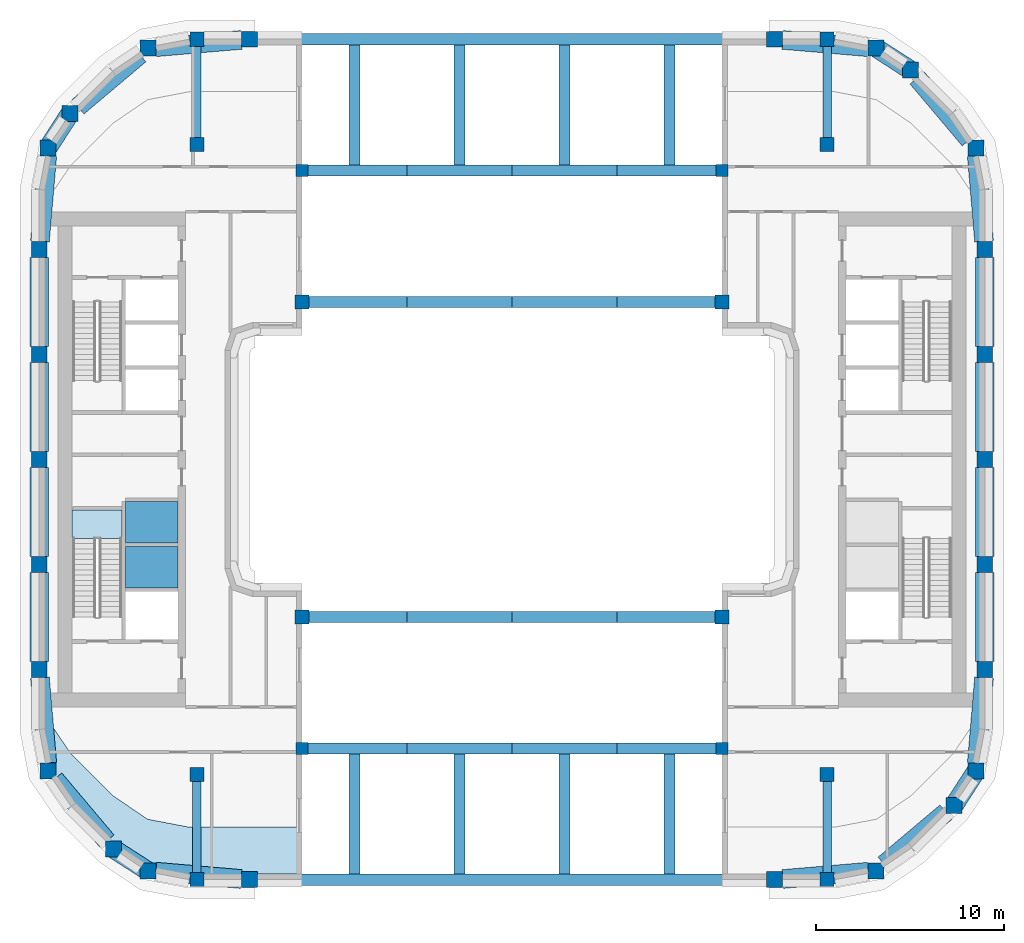
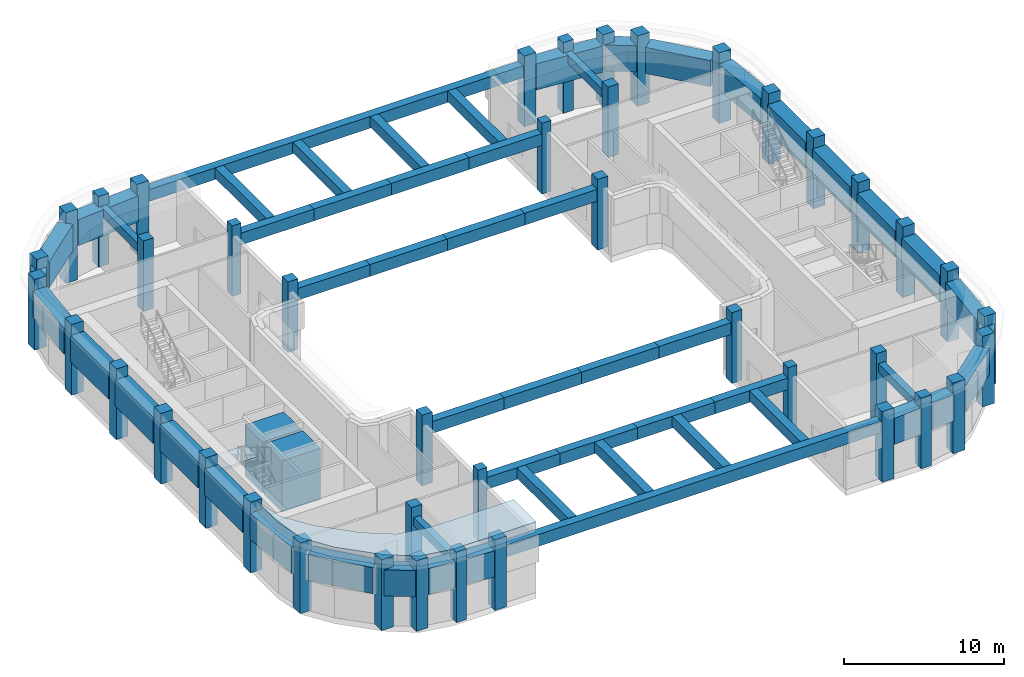
# One storey, part 1 of 13: 42 columns, 36 beams, 18 members, 4 slabs, 1 element without a shape of its own.
"""IFC4 building model written with IfcOpenShell, lengths in metres."""

from ifc_helpers import new_model, si_unit, direction, frame, origin, origin_2d, place, context, subcontext, project, spatial, polyline, rectangle, hollow_rectangle, outline, extrude, material, layer, layer_set, material_profile, profile_set, type_object, element, aggregate, save


model = new_model("IFC4")

# Units and contexts
model_context = context("Model", 3, precision=1e-05, world=origin(), true_north=direction((0.0, 1.0)))
body_context = subcontext(model_context, "Body", "Model", "MODEL_VIEW")
ifc_project = project(units=[si_unit("LENGTHUNIT", "METRE"), si_unit("AREAUNIT", "SQUARE_METRE"), si_unit("VOLUMEUNIT", "CUBIC_METRE"), si_unit("PLANEANGLEUNIT", "RADIAN"), si_unit("MASSUNIT", "GRAM", prefix="KILO")], contexts=[model_context])

# Site, building, storey
site_placement = place(None, origin())
site = spatial("IfcSite", under=ifc_project, at=site_placement, CompositionType="ELEMENT")
building_placement = place(site_placement, origin())
building = spatial("IfcBuilding", under=site, at=building_placement, Name="Kiln Ring Residences", CompositionType="ELEMENT")
storey_placement = place(building_placement, frame((0.0, 0.0, 236.300048828125)))
storey = spatial("IfcBuildingStorey", under=building, at=storey_placement, Name="L61", CompositionType="ELEMENT", Elevation=236.300048828125)

# Columns
ifc_material_1 = material(Name="Concrete C70/85", Category="concrete")
ifc_material_profile_1 = material_profile(ifc_material_1, rectangle(XDim=0.64990234375, YDim=0.64990234375, at=origin_2d()), Name="RC650x650")
ifc_profile_set_1 = profile_set([ifc_material_profile_1], Name="Concrete C70/85")
column_type_1 = type_object("IfcColumnType", Name="Corridor column RC650x650 C70/85", PredefinedType="COLUMN", material=ifc_profile_set_1)
for number, where, z_axis, x_axis, name in (
    (1, (-11.199951171875, 15.39990234375, 0.0), (0.0, 0.0, 1.0), (1.0, 0.0, 0.0), "Corridor column L61 1"),
    (2, (11.199951171875, 15.39990234375, 0.0), (0.0, 0.0, 1.0), (1.0, 0.0, 0.0), "Corridor column L61 2"),
    (3, (-11.199951171875, -15.39990234375, 0.0), (0.0, 0.0, 1.0), (1.0, 0.0, 0.0), "Corridor column L61 3"),
    (4, (11.199951171875, -15.39990234375, 0.0), (0.0, 0.0, 1.0), (1.0, 0.0, 0.0), "Corridor column L61 4"),
):
    element("IfcColumn", number, at=place(storey_placement, frame(where, z_axis=z_axis, x_axis=x_axis)), inside=storey, type_object=column_type_1, Name=name, PredefinedType="COLUMN", context=body_context, shape_type="SweptSolid", body=[
        extrude(rectangle(XDim=0.64990234375, YDim=0.64990234375, at=origin_2d()), origin(), (0.0, 0.0, 1.0), 5.39990234375),
    ])
ifc_material_2 = material(Name="Concrete C70/85", Category="concrete")
ifc_material_profile_2 = material_profile(ifc_material_2, rectangle(XDim=0.85009765625, YDim=0.85009765625, at=origin_2d()), Name="RC850x850")
ifc_profile_set_2 = profile_set([ifc_material_profile_2], Name="Concrete C70/85")
column_type_2 = type_object("IfcColumnType", Name="Perimeter column RC850x850 C70/85", PredefinedType="COLUMN", material=ifc_profile_set_2)
for number, where, z_axis, x_axis, name in (
    (5, (-19.40869140625, -21.93798828125, 0.0), (0.0, 0.0, 1.0), (1.0, 0.0, 0.0), "Perimeter column L61 1"),
    (6, (-14.0, -22.39990234375, 0.0), (0.0, 0.0, 1.0), (1.0, 0.0, 0.0), "Perimeter column L61 2"),
    (7, (14.0, -22.39990234375, 0.0), (0.0, 0.0, 1.0), (1.0, 0.0, 0.0), "Perimeter column L61 3"),
    (8, (19.40869140625, -21.93798828125, 0.0), (0.0, 0.0, 1.0), (1.0, 0.0, 0.0), "Perimeter column L61 4"),
    (9, (23.559814453125, -18.440185546875, 0.0), (0.0, 0.0, 1.0), (1.0, 0.0, 0.0), "Perimeter column L61 5"),
    (10, (24.738037109375, -16.608642578125, 0.0), (0.0, 0.0, 1.0), (1.0, 0.0, 0.0), "Perimeter column L61 6"),
    (11, (25.199951171875, -11.199951171875, 0.0), (0.0, 0.0, 1.0), (1.0, 0.0, 0.0), "Perimeter column L61 7"),
    (12, (25.199951171875, -5.60009765625, 0.0), (0.0, 0.0, 1.0), (1.0, 0.0, 0.0), "Perimeter column L61 8"),
    (13, (25.199951171875, 0.0, 0.0), (0.0, 0.0, 1.0), (1.0, 0.0, 0.0), "Perimeter column L61 9"),
    (14, (25.199951171875, 5.60009765625, 0.0), (0.0, 0.0, 1.0), (1.0, 0.0, 0.0), "Perimeter column L61 10"),
    (15, (25.199951171875, 11.199951171875, 0.0), (0.0, 0.0, 1.0), (1.0, 0.0, 0.0), "Perimeter column L61 11"),
    (16, (24.738037109375, 16.608642578125, 0.0), (0.0, 0.0, 1.0), (1.0, 0.0, 0.0), "Perimeter column L61 12"),
    (17, (21.240234375, 20.759765625, 0.0), (0.0, 0.0, 1.0), (1.0, 0.0, 0.0), "Perimeter column L61 13"),
    (18, (19.40869140625, 21.93798828125, 0.0), (0.0, 0.0, 1.0), (1.0, 0.0, 0.0), "Perimeter column L61 14"),
    (19, (14.0, 22.39990234375, 0.0), (0.0, 0.0, 1.0), (1.0, 0.0, 0.0), "Perimeter column L61 15"),
    (20, (-14.0, 22.39990234375, 0.0), (0.0, 0.0, 1.0), (1.0, 0.0, 0.0), "Perimeter column L61 16"),
    (21, (-19.40869140625, 21.93798828125, 0.0), (0.0, 0.0, 1.0), (1.0, 0.0, 0.0), "Perimeter column L61 17"),
    (22, (-23.559814453125, 18.440185546875, 0.0), (0.0, 0.0, 1.0), (1.0, 0.0, 0.0), "Perimeter column L61 18"),
    (23, (-24.738037109375, 16.608642578125, 0.0), (0.0, 0.0, 1.0), (1.0, 0.0, 0.0), "Perimeter column L61 19"),
    (24, (-25.199951171875, 11.199951171875, 0.0), (0.0, 0.0, 1.0), (1.0, 0.0, 0.0), "Perimeter column L61 20"),
    (25, (-25.199951171875, 5.60009765625, 0.0), (0.0, 0.0, 1.0), (1.0, 0.0, 0.0), "Perimeter column L61 21"),
    (26, (-25.199951171875, 0.0, 0.0), (0.0, 0.0, 1.0), (1.0, 0.0, 0.0), "Perimeter column L61 22"),
    (27, (-25.199951171875, -5.60009765625, 0.0), (0.0, 0.0, 1.0), (1.0, 0.0, 0.0), "Perimeter column L61 23"),
    (28, (-25.199951171875, -11.199951171875, 0.0), (0.0, 0.0, 1.0), (1.0, 0.0, 0.0), "Perimeter column L61 24"),
    (29, (-24.738037109375, -16.608642578125, 0.0), (0.0, 0.0, 1.0), (1.0, 0.0, 0.0), "Perimeter column L61 25"),
    (30, (-21.240234375, -20.759765625, 0.0), (0.0, 0.0, 1.0), (1.0, 0.0, 0.0), "Perimeter column L61 26"),
):
    element("IfcColumn", number, at=place(storey_placement, frame(where, z_axis=z_axis, x_axis=x_axis)), inside=storey, type_object=column_type_2, Name=name, PredefinedType="COLUMN", context=body_context, shape_type="SweptSolid", body=[
        extrude(rectangle(XDim=0.85009765625, YDim=0.85009765625, at=origin_2d()), origin(), (0.0, 0.0, 1.0), 5.39990234375),
    ])
ifc_material_3 = material(Name="Concrete C70/85", Category="concrete")
ifc_material_profile_3 = material_profile(ifc_material_3, rectangle(XDim=0.75, YDim=0.75, at=origin_2d()), Name="RC750x750")
ifc_profile_set_3 = profile_set([ifc_material_profile_3], Name="Concrete C70/85")
column_type_3 = type_object("IfcColumnType", Name="Ring column RC750x750 C70/85", PredefinedType="COLUMN", material=ifc_profile_set_3)
for number, where, z_axis, x_axis, name in (
    (31, (-16.800048828125, -22.39990234375, 0.0), (0.0, 0.0, 1.0), (1.0, 0.0, 0.0), "Ring column L61 1"),
    (32, (-16.800048828125, -16.800048828125, 0.0), (0.0, 0.0, 1.0), (1.0, 0.0, 0.0), "Ring column L61 2"),
    (33, (-16.800048828125, 16.800048828125, 0.0), (0.0, 0.0, 1.0), (1.0, 0.0, 0.0), "Ring column L61 3"),
    (34, (-16.800048828125, 22.39990234375, 0.0), (0.0, 0.0, 1.0), (1.0, 0.0, 0.0), "Ring column L61 4"),
    (35, (16.800048828125, -22.39990234375, 0.0), (0.0, 0.0, 1.0), (1.0, 0.0, 0.0), "Ring column L61 5"),
    (36, (16.800048828125, -16.800048828125, 0.0), (0.0, 0.0, 1.0), (1.0, 0.0, 0.0), "Ring column L61 6"),
    (37, (16.800048828125, 16.800048828125, 0.0), (0.0, 0.0, 1.0), (1.0, 0.0, 0.0), "Ring column L61 7"),
    (38, (16.800048828125, 22.39990234375, 0.0), (0.0, 0.0, 1.0), (1.0, 0.0, 0.0), "Ring column L61 8"),
    (39, (-11.199951171875, -8.39990234375, 0.0), (0.0, 0.0, 1.0), (1.0, 0.0, 0.0), "Ring column L61 9"),
    (40, (-11.199951171875, 8.39990234375, 0.0), (0.0, 0.0, 1.0), (1.0, 0.0, 0.0), "Ring column L61 10"),
    (41, (11.199951171875, -8.39990234375, 0.0), (0.0, 0.0, 1.0), (1.0, 0.0, 0.0), "Ring column L61 11"),
    (42, (11.199951171875, 8.39990234375, 0.0), (0.0, 0.0, 1.0), (1.0, 0.0, 0.0), "Ring column L61 12"),
):
    element("IfcColumn", number, at=place(storey_placement, frame(where, z_axis=z_axis, x_axis=x_axis)), inside=storey, type_object=column_type_3, Name=name, PredefinedType="COLUMN", context=body_context, shape_type="SweptSolid", body=[
        extrude(rectangle(XDim=0.75, YDim=0.75, at=origin_2d()), origin(), (0.0, 0.0, 1.0), 5.39990234375),
    ])

# Members
ifc_material_4 = material(Name="Steel S460", Category="steel")
ifc_material_profile_4 = material_profile(ifc_material_4, hollow_rectangle(XDim=0.60009765625, YDim=0.89990234375, WallThickness=0.050048828125, at=origin_2d()), Name="BOX900x600x50")
ifc_profile_set_4 = profile_set([ifc_material_profile_4], Name="Steel S460")
member_type = type_object("IfcMemberType", Name="Bridge truss chord BOX900x600x50 S460", PredefinedType="CHORD", material=ifc_profile_set_4)
member_1_placement = place(storey_placement, frame((-13.574951171875, -22.39990234375, 4.14990234375), z_axis=(1.0, 0.0, 0.0), x_axis=(0.0, 1.0, 0.0)))
element("IfcMember", 43, at=member_1_placement, inside=storey, type_object=member_type, Name="Bridge truss chord L61 1", PredefinedType="CHORD", context=body_context, shape_type="SweptSolid", body=[
    extrude(hollow_rectangle(XDim=0.60009765625, YDim=0.89990234375, WallThickness=0.050048828125, at=origin_2d()), origin(), (0.0, 0.0, 1.0), 27.14990234375),
])
member_2_placement = place(storey_placement, frame((-10.875, -15.39990234375, 4.14990234375), z_axis=(1.0, 0.0, 0.0), x_axis=(0.0, 1.0, 0.0)))
element("IfcMember", 44, at=member_2_placement, inside=storey, type_object=member_type, Name="Bridge truss chord L61 2", PredefinedType="CHORD", context=body_context, shape_type="SweptSolid", body=[
    extrude(hollow_rectangle(XDim=0.60009765625, YDim=0.89990234375, WallThickness=0.050048828125, at=origin_2d()), origin(), (0.0, 0.0, 1.0), 5.27490234375),
])
for number, where, z_axis, x_axis, name in (
    (45, (-5.60009765625, -15.39990234375, 4.14990234375), (1.0, 0.0, 0.0), (0.0, 1.0, 0.0), "Bridge truss chord L61 3"),
    (46, (0.0, -15.39990234375, 4.14990234375), (1.0, 0.0, 0.0), (0.0, 1.0, 0.0), "Bridge truss chord L61 4"),
):
    element("IfcMember", number, at=place(storey_placement, frame(where, z_axis=z_axis, x_axis=x_axis)), inside=storey, type_object=member_type, Name=name, PredefinedType="CHORD", context=body_context, shape_type="SweptSolid", body=[
        extrude(hollow_rectangle(XDim=0.60009765625, YDim=0.89990234375, WallThickness=0.050048828125, at=origin_2d()), origin(), (0.0, 0.0, 1.0), 5.60009765625),
    ])
member_3_placement = place(storey_placement, frame((5.60009765625, -15.39990234375, 4.14990234375), z_axis=(1.0, 0.0, 0.0), x_axis=(0.0, 1.0, 0.0)))
element("IfcMember", 47, at=member_3_placement, inside=storey, type_object=member_type, Name="Bridge truss chord L61 5", PredefinedType="CHORD", context=body_context, shape_type="SweptSolid", body=[
    extrude(hollow_rectangle(XDim=0.60009765625, YDim=0.89990234375, WallThickness=0.050048828125, at=origin_2d()), origin(), (0.0, 0.0, 1.0), 5.27490234375),
])
member_4_placement = place(storey_placement, frame((-10.824951171875, -8.39990234375, 4.14990234375), z_axis=(1.0, 0.0, 0.0), x_axis=(0.0, 1.0, 0.0)))
element("IfcMember", 48, at=member_4_placement, inside=storey, type_object=member_type, Name="Bridge truss chord L61 6", PredefinedType="CHORD", context=body_context, shape_type="SweptSolid", body=[
    extrude(hollow_rectangle(XDim=0.60009765625, YDim=0.89990234375, WallThickness=0.050048828125, at=origin_2d()), origin(), (0.0, 0.0, 1.0), 5.224853515625),
])
for number, where, z_axis, x_axis, name in (
    (49, (-5.60009765625, -8.39990234375, 4.14990234375), (1.0, 0.0, 0.0), (0.0, 1.0, 0.0), "Bridge truss chord L61 7"),
    (50, (0.0, -8.39990234375, 4.14990234375), (1.0, 0.0, 0.0), (0.0, 1.0, 0.0), "Bridge truss chord L61 8"),
):
    element("IfcMember", number, at=place(storey_placement, frame(where, z_axis=z_axis, x_axis=x_axis)), inside=storey, type_object=member_type, Name=name, PredefinedType="CHORD", context=body_context, shape_type="SweptSolid", body=[
        extrude(hollow_rectangle(XDim=0.60009765625, YDim=0.89990234375, WallThickness=0.050048828125, at=origin_2d()), origin(), (0.0, 0.0, 1.0), 5.60009765625),
    ])
member_5_placement = place(storey_placement, frame((5.60009765625, -8.39990234375, 4.14990234375), z_axis=(1.0, 0.0, 0.0), x_axis=(0.0, 1.0, 0.0)))
element("IfcMember", 51, at=member_5_placement, inside=storey, type_object=member_type, Name="Bridge truss chord L61 9", PredefinedType="CHORD", context=body_context, shape_type="SweptSolid", body=[
    extrude(hollow_rectangle(XDim=0.60009765625, YDim=0.89990234375, WallThickness=0.050048828125, at=origin_2d()), origin(), (0.0, 0.0, 1.0), 5.224853515625),
])
member_6_placement = place(storey_placement, frame((-13.574951171875, 22.39990234375, 4.14990234375), z_axis=(1.0, 0.0, 0.0), x_axis=(0.0, 1.0, 0.0)))
element("IfcMember", 52, at=member_6_placement, inside=storey, type_object=member_type, Name="Bridge truss chord L61 10", PredefinedType="CHORD", context=body_context, shape_type="SweptSolid", body=[
    extrude(hollow_rectangle(XDim=0.60009765625, YDim=0.89990234375, WallThickness=0.050048828125, at=origin_2d()), origin(), (0.0, 0.0, 1.0), 27.14990234375),
])
member_7_placement = place(storey_placement, frame((-10.875, 15.39990234375, 4.14990234375), z_axis=(1.0, 0.0, 0.0), x_axis=(0.0, 1.0, 0.0)))
element("IfcMember", 53, at=member_7_placement, inside=storey, type_object=member_type, Name="Bridge truss chord L61 11", PredefinedType="CHORD", context=body_context, shape_type="SweptSolid", body=[
    extrude(hollow_rectangle(XDim=0.60009765625, YDim=0.89990234375, WallThickness=0.050048828125, at=origin_2d()), origin(), (0.0, 0.0, 1.0), 5.27490234375),
])
for number, where, z_axis, x_axis, name in (
    (54, (-5.60009765625, 15.39990234375, 4.14990234375), (1.0, 0.0, 0.0), (0.0, 1.0, 0.0), "Bridge truss chord L61 12"),
    (55, (0.0, 15.39990234375, 4.14990234375), (1.0, 0.0, 0.0), (0.0, 1.0, 0.0), "Bridge truss chord L61 13"),
):
    element("IfcMember", number, at=place(storey_placement, frame(where, z_axis=z_axis, x_axis=x_axis)), inside=storey, type_object=member_type, Name=name, PredefinedType="CHORD", context=body_context, shape_type="SweptSolid", body=[
        extrude(hollow_rectangle(XDim=0.60009765625, YDim=0.89990234375, WallThickness=0.050048828125, at=origin_2d()), origin(), (0.0, 0.0, 1.0), 5.60009765625),
    ])
member_8_placement = place(storey_placement, frame((5.60009765625, 15.39990234375, 4.14990234375), z_axis=(1.0, 0.0, 0.0), x_axis=(0.0, 1.0, 0.0)))
element("IfcMember", 56, at=member_8_placement, inside=storey, type_object=member_type, Name="Bridge truss chord L61 14", PredefinedType="CHORD", context=body_context, shape_type="SweptSolid", body=[
    extrude(hollow_rectangle(XDim=0.60009765625, YDim=0.89990234375, WallThickness=0.050048828125, at=origin_2d()), origin(), (0.0, 0.0, 1.0), 5.27490234375),
])
member_9_placement = place(storey_placement, frame((-10.824951171875, 8.39990234375, 4.14990234375), z_axis=(1.0, 0.0, 0.0), x_axis=(0.0, 1.0, 0.0)))
element("IfcMember", 57, at=member_9_placement, inside=storey, type_object=member_type, Name="Bridge truss chord L61 15", PredefinedType="CHORD", context=body_context, shape_type="SweptSolid", body=[
    extrude(hollow_rectangle(XDim=0.60009765625, YDim=0.89990234375, WallThickness=0.050048828125, at=origin_2d()), origin(), (0.0, 0.0, 1.0), 5.224853515625),
])
for number, where, z_axis, x_axis, name in (
    (58, (-5.60009765625, 8.39990234375, 4.14990234375), (1.0, 0.0, 0.0), (0.0, 1.0, 0.0), "Bridge truss chord L61 16"),
    (59, (0.0, 8.39990234375, 4.14990234375), (1.0, 0.0, 0.0), (0.0, 1.0, 0.0), "Bridge truss chord L61 17"),
):
    element("IfcMember", number, at=place(storey_placement, frame(where, z_axis=z_axis, x_axis=x_axis)), inside=storey, type_object=member_type, Name=name, PredefinedType="CHORD", context=body_context, shape_type="SweptSolid", body=[
        extrude(hollow_rectangle(XDim=0.60009765625, YDim=0.89990234375, WallThickness=0.050048828125, at=origin_2d()), origin(), (0.0, 0.0, 1.0), 5.60009765625),
    ])
member_10_placement = place(storey_placement, frame((5.60009765625, 8.39990234375, 4.14990234375), z_axis=(1.0, 0.0, 0.0), x_axis=(0.0, 1.0, 0.0)))
element("IfcMember", 60, at=member_10_placement, inside=storey, type_object=member_type, Name="Bridge truss chord L61 18", PredefinedType="CHORD", context=body_context, shape_type="SweptSolid", body=[
    extrude(hollow_rectangle(XDim=0.60009765625, YDim=0.89990234375, WallThickness=0.050048828125, at=origin_2d()), origin(), (0.0, 0.0, 1.0), 5.224853515625),
])

# Beams
ifc_material_5 = material(Name="Concrete C50/60", Category="concrete")
ifc_material_profile_5 = material_profile(ifc_material_5, rectangle(XDim=0.449951171875, YDim=0.64990234375, at=origin_2d()), Name="RC450x650")
ifc_profile_set_5 = profile_set([ifc_material_profile_5], Name="Concrete C50/60")
beam_type_1 = type_object("IfcBeamType", Name="Ring beam RC450x650 C50/60", PredefinedType="BEAM", material=ifc_profile_set_5)
for number, where, z_axis, x_axis, name in (
    (61, (-16.800048828125, -17.175048828125, 4.27490234375), (0.0, -1.0, 0.0), (1.0, 0.0, 0.0), "Ring beam L61 1"),
    (62, (-16.800048828125, 17.175048828125, 4.27490234375), (0.0, 1.0, 0.0), (-1.0, 0.0, 0.0), "Ring beam L61 2"),
    (63, (16.800048828125, -17.175048828125, 4.27490234375), (0.0, -1.0, 0.0), (1.0, 0.0, 0.0), "Ring beam L61 3"),
    (64, (16.800048828125, 17.175048828125, 4.27490234375), (0.0, 1.0, 0.0), (-1.0, 0.0, 0.0), "Ring beam L61 4"),
):
    element("IfcBeam", number, at=place(storey_placement, frame(where, z_axis=z_axis, x_axis=x_axis)), inside=storey, type_object=beam_type_1, Name=name, PredefinedType="BEAM", context=body_context, shape_type="SweptSolid", body=[
        extrude(rectangle(XDim=0.449951171875, YDim=0.64990234375, at=origin_2d()), origin(), (0.0, 0.0, 1.0), 4.849853515625),
    ])
ifc_material_6 = material(Name="Concrete C70/85", Category="concrete")
ifc_material_profile_6 = material_profile(ifc_material_6, rectangle(XDim=1.0, YDim=2.0, at=origin_2d()), Name="RC1000x2000")
ifc_profile_set_6 = profile_set([ifc_material_profile_6], Name="Concrete C70/85")
beam_type_2 = type_object("IfcBeamType", Name="Transfer girder RC1000x2000 C70/85", PredefinedType="BEAM", material=ifc_profile_set_6)
for number, where, z_axis, x_axis, name in (
    (65, (-18.983642578125, -21.974365234375, 3.599853515625), (0.996371385312, -0.085112058675, 0.0), (0.085112058675, 0.996371385312, 0.0), "Transfer girder L61 1"),
    (66, (14.425048828125, -22.36376953125, 3.599853515625), (0.996371385312, 0.085112058675, 0.0), (-0.085112058675, 0.996371385312, 0.0), "Transfer girder L61 2"),
):
    element("IfcBeam", number, at=place(storey_placement, frame(where, z_axis=z_axis, x_axis=x_axis)), inside=storey, type_object=beam_type_2, Name=name, PredefinedType="BEAM", context=body_context, shape_type="SweptSolid", body=[
        extrude(rectangle(XDim=1.0, YDim=2.0, at=origin_2d()), origin(), (0.0, 0.0, 1.0), 4.5751953125),
    ])
beam_1_placement = place(storey_placement, frame((19.833740234375, -21.580078125, 3.599853515625), z_axis=(0.764691163306, 0.64439694658, 0.0), x_axis=(-0.64439694658, 0.764691163306, 0.0)))
element("IfcBeam", 67, at=beam_1_placement, inside=storey, type_object=beam_type_2, Name="Transfer girder L61 3", PredefinedType="BEAM", context=body_context, shape_type="SweptSolid", body=[
    extrude(rectangle(XDim=1.0, YDim=2.0, at=origin_2d()), origin(), (0.0, 0.0, 1.0), 4.31689453125),
])
beam_2_placement = place(storey_placement, frame((23.559814453125, -18.440185546875, 3.599853515625), z_axis=(0.541018199108, 0.84101088473, 0.0), x_axis=(-0.84101088473, 0.541018199108, 0.0)))
element("IfcBeam", 68, at=beam_2_placement, inside=storey, type_object=beam_type_2, Name="Transfer girder L61 4", PredefinedType="BEAM", context=body_context, shape_type="SweptSolid", body=[
    extrude(rectangle(XDim=1.0, YDim=2.0, at=origin_2d()), origin(), (0.0, 0.0, 1.0), 2.177734375),
])
beam_3_placement = place(storey_placement, frame((24.7744140625, -16.18359375, 3.599853515625), z_axis=(0.085112058675, 0.996371385312, 0.0), x_axis=(-0.996371385312, 0.085112058675, 0.0)))
element("IfcBeam", 69, at=beam_3_placement, inside=storey, type_object=beam_type_2, Name="Transfer girder L61 5", PredefinedType="BEAM", context=body_context, shape_type="SweptSolid", body=[
    extrude(rectangle(XDim=1.0, YDim=2.0, at=origin_2d()), origin(), (0.0, 0.0, 1.0), 4.5751953125),
])
for number, where, z_axis, x_axis, name in (
    (70, (25.199951171875, -10.77490234375, 3.599853515625), (0.0, 1.0, 0.0), (-1.0, 0.0, 0.0), "Transfer girder L61 6"),
    (71, (25.199951171875, -5.175048828125, 3.599853515625), (0.0, 1.0, 0.0), (-1.0, 0.0, 0.0), "Transfer girder L61 7"),
    (72, (25.199951171875, 0.425048828125, 3.599853515625), (0.0, 1.0, 0.0), (-1.0, 0.0, 0.0), "Transfer girder L61 8"),
    (73, (25.199951171875, 6.02490234375, 3.599853515625), (0.0, 1.0, 0.0), (-1.0, 0.0, 0.0), "Transfer girder L61 9"),
):
    element("IfcBeam", number, at=place(storey_placement, frame(where, z_axis=z_axis, x_axis=x_axis)), inside=storey, type_object=beam_type_2, Name=name, PredefinedType="BEAM", context=body_context, shape_type="SweptSolid", body=[
        extrude(rectangle(XDim=1.0, YDim=2.0, at=origin_2d()), origin(), (0.0, 0.0, 1.0), 4.75),
    ])
beam_4_placement = place(storey_placement, frame((25.163818359375, 11.625, 3.599853515625), z_axis=(-0.085112058675, 0.996371385312, 0.0), x_axis=(-0.996371385312, -0.085112058675, 0.0)))
element("IfcBeam", 74, at=beam_4_placement, inside=storey, type_object=beam_type_2, Name="Transfer girder L61 10", PredefinedType="BEAM", context=body_context, shape_type="SweptSolid", body=[
    extrude(rectangle(XDim=1.0, YDim=2.0, at=origin_2d()), origin(), (0.0, 0.0, 1.0), 4.5751953125),
])
beam_5_placement = place(storey_placement, frame((24.3798828125, 17.03369140625, 3.599853515625), z_axis=(-0.644363873614, 0.764719032313, 0.0), x_axis=(-0.764719032313, -0.644363873614, 0.0)))
element("IfcBeam", 75, at=beam_5_placement, inside=storey, type_object=beam_type_2, Name="Transfer girder L61 11", PredefinedType="BEAM", context=body_context, shape_type="SweptSolid", body=[
    extrude(rectangle(XDim=1.0, YDim=2.0, at=origin_2d()), origin(), (0.0, 0.0, 1.0), 4.316650390625),
])
beam_6_placement = place(storey_placement, frame((21.240234375, 20.759765625, 3.599853515625), z_axis=(-0.84101088473, 0.541018199108, 0.0), x_axis=(-0.541018199108, -0.84101088473, 0.0)))
element("IfcBeam", 76, at=beam_6_placement, inside=storey, type_object=beam_type_2, Name="Transfer girder L61 12", PredefinedType="BEAM", context=body_context, shape_type="SweptSolid", body=[
    extrude(rectangle(XDim=1.0, YDim=2.0, at=origin_2d()), origin(), (0.0, 0.0, 1.0), 2.177734375),
])
for number, where, z_axis, x_axis, name in (
    (77, (18.983642578125, 21.974365234375, 3.599853515625), (-0.996371385312, 0.085112058675, 0.0), (-0.085112058675, -0.996371385312, 0.0), "Transfer girder L61 13"),
    (78, (-14.425048828125, 22.36376953125, 3.599853515625), (-0.996371385312, -0.085112058675, 0.0), (0.085112058675, -0.996371385312, 0.0), "Transfer girder L61 14"),
):
    element("IfcBeam", number, at=place(storey_placement, frame(where, z_axis=z_axis, x_axis=x_axis)), inside=storey, type_object=beam_type_2, Name=name, PredefinedType="BEAM", context=body_context, shape_type="SweptSolid", body=[
        extrude(rectangle(XDim=1.0, YDim=2.0, at=origin_2d()), origin(), (0.0, 0.0, 1.0), 4.5751953125),
    ])
beam_7_placement = place(storey_placement, frame((-19.833740234375, 21.580078125, 3.599853515625), z_axis=(-0.764691163306, -0.64439694658, 0.0), x_axis=(0.64439694658, -0.764691163306, 0.0)))
element("IfcBeam", 79, at=beam_7_placement, inside=storey, type_object=beam_type_2, Name="Transfer girder L61 15", PredefinedType="BEAM", context=body_context, shape_type="SweptSolid", body=[
    extrude(rectangle(XDim=1.0, YDim=2.0, at=origin_2d()), origin(), (0.0, 0.0, 1.0), 4.31689453125),
])
beam_8_placement = place(storey_placement, frame((-23.559814453125, 18.440185546875, 3.599853515625), z_axis=(-0.541018199108, -0.84101088473, 0.0), x_axis=(0.84101088473, -0.541018199108, 0.0)))
element("IfcBeam", 80, at=beam_8_placement, inside=storey, type_object=beam_type_2, Name="Transfer girder L61 16", PredefinedType="BEAM", context=body_context, shape_type="SweptSolid", body=[
    extrude(rectangle(XDim=1.0, YDim=2.0, at=origin_2d()), origin(), (0.0, 0.0, 1.0), 2.177734375),
])
beam_9_placement = place(storey_placement, frame((-24.7744140625, 16.18359375, 3.599853515625), z_axis=(-0.085112058675, -0.996371385312, 0.0), x_axis=(0.996371385312, -0.085112058675, 0.0)))
element("IfcBeam", 81, at=beam_9_placement, inside=storey, type_object=beam_type_2, Name="Transfer girder L61 17", PredefinedType="BEAM", context=body_context, shape_type="SweptSolid", body=[
    extrude(rectangle(XDim=1.0, YDim=2.0, at=origin_2d()), origin(), (0.0, 0.0, 1.0), 4.5751953125),
])
for number, where, z_axis, x_axis, name in (
    (82, (-25.199951171875, 10.77490234375, 3.599853515625), (0.0, -1.0, 0.0), (1.0, 0.0, 0.0), "Transfer girder L61 18"),
    (83, (-25.199951171875, 5.175048828125, 3.599853515625), (0.0, -1.0, 0.0), (1.0, 0.0, 0.0), "Transfer girder L61 19"),
    (84, (-25.199951171875, -0.425048828125, 3.599853515625), (0.0, -1.0, 0.0), (1.0, 0.0, 0.0), "Transfer girder L61 20"),
    (85, (-25.199951171875, -6.02490234375, 3.599853515625), (0.0, -1.0, 0.0), (1.0, 0.0, 0.0), "Transfer girder L61 21"),
):
    element("IfcBeam", number, at=place(storey_placement, frame(where, z_axis=z_axis, x_axis=x_axis)), inside=storey, type_object=beam_type_2, Name=name, PredefinedType="BEAM", context=body_context, shape_type="SweptSolid", body=[
        extrude(rectangle(XDim=1.0, YDim=2.0, at=origin_2d()), origin(), (0.0, 0.0, 1.0), 4.75),
    ])
beam_10_placement = place(storey_placement, frame((-25.163818359375, -11.625, 3.599853515625), z_axis=(0.085112058675, -0.996371385312, 0.0), x_axis=(0.996371385312, 0.085112058675, 0.0)))
element("IfcBeam", 86, at=beam_10_placement, inside=storey, type_object=beam_type_2, Name="Transfer girder L61 22", PredefinedType="BEAM", context=body_context, shape_type="SweptSolid", body=[
    extrude(rectangle(XDim=1.0, YDim=2.0, at=origin_2d()), origin(), (0.0, 0.0, 1.0), 4.5751953125),
])
beam_11_placement = place(storey_placement, frame((-24.3798828125, -17.03369140625, 3.599853515625), z_axis=(0.644363873614, -0.764719032313, 0.0), x_axis=(0.764719032313, 0.644363873614, 0.0)))
element("IfcBeam", 87, at=beam_11_placement, inside=storey, type_object=beam_type_2, Name="Transfer girder L61 23", PredefinedType="BEAM", context=body_context, shape_type="SweptSolid", body=[
    extrude(rectangle(XDim=1.0, YDim=2.0, at=origin_2d()), origin(), (0.0, 0.0, 1.0), 4.316650390625),
])
beam_12_placement = place(storey_placement, frame((-21.240234375, -20.759765625, 3.599853515625), z_axis=(0.84101088473, -0.541018199108, 0.0), x_axis=(0.541018199108, 0.84101088473, 0.0)))
element("IfcBeam", 88, at=beam_12_placement, inside=storey, type_object=beam_type_2, Name="Transfer girder L61 24", PredefinedType="BEAM", context=body_context, shape_type="SweptSolid", body=[
    extrude(rectangle(XDim=1.0, YDim=2.0, at=origin_2d()), origin(), (0.0, 0.0, 1.0), 2.177734375),
])
ifc_material_7 = material(Name="Steel S460", Category="steel")
ifc_material_profile_7 = material_profile(ifc_material_7, hollow_rectangle(XDim=0.60009765625, YDim=0.800048828125, WallThickness=0.050048828125, at=origin_2d()), Name="BOX800x600x50")
ifc_profile_set_7 = profile_set([ifc_material_profile_7], Name="Steel S460")
beam_type_3 = type_object("IfcBeamType", Name="Transfer truss girder BOX800x600x50 S460", PredefinedType="BEAM", material=ifc_profile_set_7)
for number, where, z_axis, x_axis, name in (
    (89, (-8.39990234375, -22.10009765625, 4.199951171875), (0.0, 1.0, 0.0), (-1.0, 0.0, 0.0), "Transfer truss girder L61 1"),
    (90, (-2.800048828125, -22.10009765625, 4.199951171875), (0.0, 1.0, 0.0), (-1.0, 0.0, 0.0), "Transfer truss girder L61 2"),
    (91, (2.800048828125, -22.10009765625, 4.199951171875), (0.0, 1.0, 0.0), (-1.0, 0.0, 0.0), "Transfer truss girder L61 3"),
    (92, (8.39990234375, -22.10009765625, 4.199951171875), (0.0, 1.0, 0.0), (-1.0, 0.0, 0.0), "Transfer truss girder L61 4"),
    (93, (8.39990234375, 22.10009765625, 4.199951171875), (0.0, -1.0, 0.0), (1.0, 0.0, 0.0), "Transfer truss girder L61 5"),
    (94, (2.800048828125, 22.10009765625, 4.199951171875), (0.0, -1.0, 0.0), (1.0, 0.0, 0.0), "Transfer truss girder L61 6"),
    (95, (-2.800048828125, 22.10009765625, 4.199951171875), (0.0, -1.0, 0.0), (1.0, 0.0, 0.0), "Transfer truss girder L61 7"),
    (96, (-8.39990234375, 22.10009765625, 4.199951171875), (0.0, -1.0, 0.0), (1.0, 0.0, 0.0), "Transfer truss girder L61 8"),
):
    element("IfcBeam", number, at=place(storey_placement, frame(where, z_axis=z_axis, x_axis=x_axis)), inside=storey, type_object=beam_type_3, Name=name, PredefinedType="BEAM", context=body_context, shape_type="SweptSolid", body=[
        extrude(hollow_rectangle(XDim=0.60009765625, YDim=0.800048828125, WallThickness=0.050048828125, at=origin_2d()), origin(), (0.0, 0.0, 1.0), 6.400146484375),
    ])

# Slabs
ifc_material_8 = material(Name="Concrete C40/50", Category="concrete")
ifc_layer_1 = layer(ifc_material_8, 3.89990234375)
ifc_layer_set_1 = layer_set([ifc_layer_1], Name="CORE-PIT-BASE-3900")
slab_type_1 = type_object("IfcSlabType", Name="CORE-PIT-BASE-3900", PredefinedType="USERDEFINED", material=ifc_layer_set_1)
placement = place(storey_placement, origin())
element("IfcSlab", 97, at=placement, inside=storey, type_object=slab_type_1, Name="Lift pit base W-H1", ObjectType="Lift pit base", PredefinedType="USERDEFINED", context=body_context, shape_type="SweptSolid", body=[
    extrude(outline(polyline([(-17.800048828125, -6.85009765625), (-17.800048828125, -4.64990234375), (-20.60009765625, -4.64990234375), (-20.60009765625, -6.85009765625), (-17.800048828125, -6.85009765625)])), origin(), (0.0, 0.0, 1.0), 3.89990234375),
])
element("IfcSlab", 98, at=placement, inside=storey, type_object=slab_type_1, Name="Lift pit base W-H2", ObjectType="Lift pit base", PredefinedType="USERDEFINED", context=body_context, shape_type="SweptSolid", body=[
    extrude(outline(polyline([(-17.800048828125, -4.449951171875), (-17.800048828125, -2.25), (-20.60009765625, -2.25), (-20.60009765625, -4.449951171875), (-17.800048828125, -4.449951171875)])), origin(), (0.0, 0.0, 1.0), 3.89990234375),
])

# Stair, slab
ifc_material_9 = material(Name="Concrete C40/50", Category="concrete")
stair_type = type_object("IfcStairType", Name="CORE-STAIR", PredefinedType="HALF_TURN_STAIR", material=ifc_material_9)
stair = element("IfcStair", 99, at=placement, inside=storey, type_object=stair_type, Name="L61 stair W-STS", PredefinedType="HALF_TURN_STAIR")
ifc_material_10 = material(Name="Concrete C40/50", Category="concrete")
ifc_layer_2 = layer(ifc_material_10, 0.199951171875)
ifc_layer_set_2 = layer_set([ifc_layer_2], Name="CORE-STAIR-LANDING")
slab_type_2 = type_object("IfcSlabType", Name="CORE-STAIR-LANDING", PredefinedType="LANDING", material=ifc_layer_set_2)
slab_3_placement = place(storey_placement, frame((0.0, 0.0, 2.5)))
slab_3 = element("IfcSlab", 100, at=slab_3_placement, type_object=slab_type_2, Name="W-STS landing 1", PredefinedType="LANDING", context=body_context, shape_type="SweptSolid", body=[
    extrude(outline(polyline([(-20.800048828125, -4.199951171875), (-20.800048828125, -2.699951171875), (-23.449951171875, -2.699951171875), (-23.449951171875, -4.199951171875), (-20.800048828125, -4.199951171875)])), origin(), (0.0, 0.0, 1.0), 0.199951171875),
])
aggregate(stair, [slab_3])

# Slab
ifc_material_11 = material(Name="Concrete C40/50", Category="concrete")
ifc_layer_3 = layer(ifc_material_11, 0.800048828125)
ifc_layer_set_3 = layer_set([ifc_layer_3], Name="Roof slab 800")
slab_type_3 = type_object("IfcSlabType", Name="Roof slab 800", PredefinedType="ROOF", material=ifc_layer_set_3)
slab_4_placement = place(storey_placement, frame((0.0, 0.0, 4.599853515625)))
element("IfcSlab", 101, at=slab_4_placement, inside=storey, type_object=slab_type_3, Name="Roof slab L61 1", PredefinedType="ROOF", context=body_context, shape_type="SweptSolid", body=[
    extrude(outline(polyline([(-11.199951171875, -19.6005859375), (-17.2001953125, -19.6005859375), (-19.424560546875, -19.17626953125), (-21.29736328125, -17.9033203125), (-23.50341796875, -15.697265625), (-24.776123046875, -13.824462890625), (-25.199951171875, -11.602783203125), (-25.199951171875, -14.39990234375), (-24.775634765625, -16.624267578125), (-23.5029296875, -18.4970703125), (-21.297119140625, -20.702880859375), (-19.42431640625, -21.975830078125), (-17.199951171875, -22.39990234375), (-11.199951171875, -22.39990234375), (-11.199951171875, -19.6005859375)])), origin(), (0.0, 0.0, 1.0), 0.800048828125),
])

save(model, "model.ifc")
